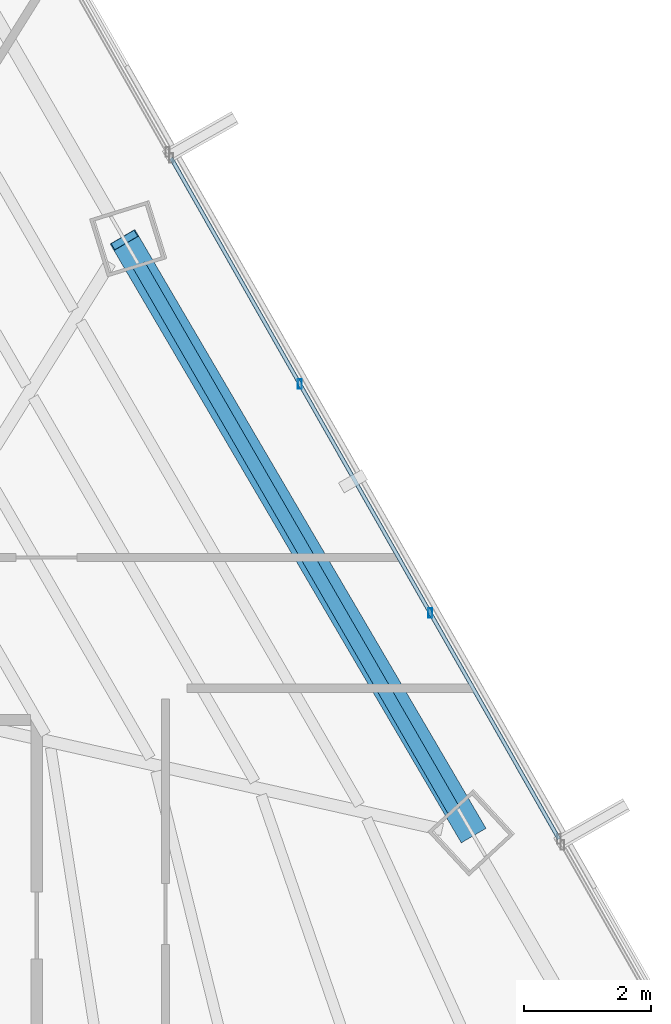
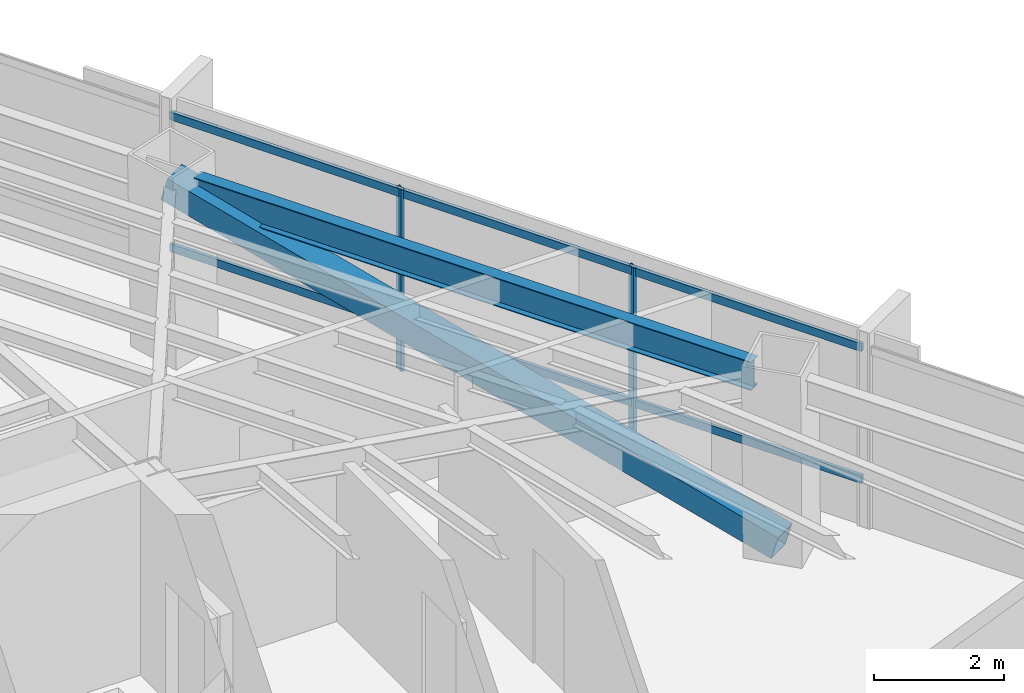
# One storey, part 25 of 39: 5 members, 1 beam, 1 element without a shape of its own.
"""IFC4 building model written with IfcOpenShell, lengths in metres."""

from ifc_helpers import new_model, si_unit, direction, frame, origin, origin_2d, place, context, subcontext, project, spatial, hollow_rectangle, i_section, extrude, source, transform, mapped, material, material_profile, profile_set, type_object, type_shapes, element, aggregate, save


model = new_model("IFC4")

# Units and contexts
model_context = context("Model", 3, precision=1e-05, world=origin(), true_north=direction((0.0, 1.0)))
body_context = subcontext(model_context, "Body", "Model", "MODEL_VIEW")
ifc_project = project(units=[si_unit("LENGTHUNIT", "METRE"), si_unit("AREAUNIT", "SQUARE_METRE"), si_unit("VOLUMEUNIT", "CUBIC_METRE"), si_unit("PLANEANGLEUNIT", "RADIAN"), si_unit("MASSUNIT", "GRAM", prefix="KILO")], contexts=[model_context])

# Site, building, storey
site_placement = place(None, origin())
site = spatial("IfcSite", under=ifc_project, at=site_placement, CompositionType="ELEMENT")
building_placement = place(site_placement, origin())
building = spatial("IfcBuilding", under=site, at=building_placement, Name="Caelisora Broadcast Tower", CompositionType="ELEMENT")
storey_placement = place(building_placement, frame((0.0, 0.0, 139.10009765625)))
storey = spatial("IfcBuildingStorey", under=building, at=storey_placement, Name="L36", CompositionType="ELEMENT", Elevation=139.10009765625)

# Beam
ifc_material_1 = material(Name="Steel Grade 350 (AS/NZS 3679.1)", Category="steel")
ifc_material_profile_1 = material_profile(ifc_material_1, i_section(OverallWidth=0.208984375, OverallDepth=0.532958984375, WebThickness=0.01025390625, FlangeThickness=0.015625, at=origin_2d()), Name="Steel Grade 350 (AS/NZS 3679.1)")
ifc_profile_set_1 = profile_set([ifc_material_profile_1], Name="Steel Grade 350 (AS/NZS 3679.1)")
beam_type = type_object("IfcBeamType", Name="PG05", PredefinedType="BEAM", material=ifc_profile_set_1)
shared_shape_1 = source(origin(), body_context, "Body", "SweptSolid", [
    extrude(i_section(OverallWidth=0.208984375, OverallDepth=0.532958984375, WebThickness=0.01025390625, FlangeThickness=0.015625, at=origin_2d()), origin(), (0.0, 0.0, 1.0), 9.86865234375),
])
type_shapes(beam_type, [shared_shape_1])
beam_placement = place(storey_placement, frame((55.11962890625, 28.186279296875, 3.13330078125), z_axis=(-0.499994417569, 0.866028626779, 0.0), x_axis=(-0.866028626779, -0.499994417569, 0.0)))
element("IfcBeam", 1, at=beam_placement, inside=storey, type_object=beam_type, Name="L36 beam PG05", PredefinedType="BEAM", context=body_context, shape_type="MappedRepresentation", body=[
    mapped(shared_shape_1, transform((0.0, 0.0, 0.0), scale=1.0)),
])

# Member
ifc_material_2 = material(Name="Steel Grade 450 (AS/NZS 1163 C450L0)", Category="steel")
ifc_material_profile_2 = material_profile(ifc_material_2, hollow_rectangle(XDim=0.449951171875, YDim=0.449951171875, WallThickness=0.01611328125, at=origin_2d()), Name="Steel Grade 450 (AS/NZS 1163 C450L0)")
ifc_profile_set_2 = profile_set([ifc_material_profile_2], Name="Steel Grade 450 (AS/NZS 1163 C450L0)")
member_type_1 = type_object("IfcMemberType", Name="BR03", PredefinedType="BRACE", material=ifc_profile_set_2)
shared_shape_2 = source(origin(), body_context, "Body", "SweptSolid", [
    extrude(hollow_rectangle(XDim=0.449951171875, YDim=0.449951171875, WallThickness=0.01611328125, at=origin_2d()), origin(), (0.0, 0.0, 1.0), 11.182861328125),
])
type_shapes(member_type_1, [shared_shape_2])
member_1_placement = place(storey_placement, frame((55.404052734375, 27.838134765625, 0.099853515625), z_axis=(-0.487263665589, 0.83102699183, 0.268269005007), x_axis=(-0.862648188633, -0.505804411456, 0.0)))
element("IfcMember", 2, at=member_1_placement, inside=storey, type_object=member_type_1, Name="L36 perimeter brace BR03", PredefinedType="BRACE", context=body_context, shape_type="MappedRepresentation", body=[
    mapped(shared_shape_2, transform((0.0, 0.0, 0.0), scale=1.0)),
])

# Curtain wall, members
ifc_material_3 = material(Name="Unitised Aluminium Insulated Shadow-Box Spandrel Curtain Wall", Category="aluminium")
curtain_wall_type = type_object("IfcCurtainWallType", Name="CW-SP2", PredefinedType="NOTDEFINED", material=ifc_material_3)
curtain_wall_placement = place(storey_placement, origin())
curtain_wall = element("IfcCurtainWall", 3, at=curtain_wall_placement, inside=storey, type_object=curtain_wall_type, Name="L36 curtain wall CW-SP2", PredefinedType="NOTDEFINED")
ifc_material_4 = material(Name="Aluminium 6063-T6 Anodised Terracotta Bronze", Category="aluminium")
ifc_material_profile_3 = material_profile(ifc_material_4, hollow_rectangle(XDim=0.06005859375, YDim=0.14990234375, WallThickness=0.00341796875, at=origin_2d()), Name="Aluminium 6063-T6 Anodised Terracotta Bronze")
ifc_profile_set_3 = profile_set([ifc_material_profile_3], Name="Aluminium 6063-T6 Anodised Terracotta Bronze")
member_type_2 = type_object("IfcMemberType", Name="CWM-03", PredefinedType="MULLION", material=ifc_profile_set_3)
shared_shape_3 = source(origin(), body_context, "Body", "SweptSolid", [
    extrude(hollow_rectangle(XDim=0.06005859375, YDim=0.14990234375, WallThickness=0.00341796875, at=origin_2d()), origin(), (0.0, 0.0, 1.0), 3.39990234375),
])
type_shapes(member_type_2, [shared_shape_3])
member_2_placement = place(storey_placement, frame((52.7080078125, 34.869384765625, 0.0), z_axis=(0.0, 0.0, 1.0), x_axis=(1.0, 0.0, 0.0)))
member_2 = element("IfcMember", 4, at=member_2_placement, type_object=member_type_2, Name="L36-CW-B02 mullion #1", PredefinedType="MULLION", context=body_context, shape_type="MappedRepresentation", body=[
    mapped(shared_shape_3, transform((0.0, 0.0, 0.0), scale=1.0)),
])
member_3_placement = place(storey_placement, frame((54.753173828125, 31.27880859375, 0.0), z_axis=(0.0, 0.0, 1.0), x_axis=(1.0, 0.0, 0.0)))
member_3 = element("IfcMember", 5, at=member_3_placement, type_object=member_type_2, Name="L36-CW-B02 mullion #2", PredefinedType="MULLION", context=body_context, shape_type="MappedRepresentation", body=[
    mapped(shared_shape_3, transform((0.0, 0.0, 0.0), scale=1.0)),
])
ifc_material_profile_4 = material_profile(ifc_material_4, hollow_rectangle(XDim=0.06005859375, YDim=0.14990234375, WallThickness=0.00341796875, at=origin_2d()), Name="Aluminium 6063-T6 Anodised Terracotta Bronze")
ifc_profile_set_4 = profile_set([ifc_material_profile_4], Name="Aluminium 6063-T6 Anodised Terracotta Bronze")
member_type_3 = type_object("IfcMemberType", Name="CWT-02", PredefinedType="USERDEFINED", material=ifc_profile_set_4)
shared_shape_4 = source(origin(), body_context, "Body", "SweptSolid", [
    extrude(hollow_rectangle(XDim=0.06005859375, YDim=0.14990234375, WallThickness=0.00341796875, at=origin_2d()), origin(), (0.0, 0.0, 1.0), 12.2958984375),
])
type_shapes(member_type_3, [shared_shape_4])
member_4_placement = place(storey_placement, frame((50.687744140625, 38.416259765625, 0.849853515625), z_axis=(0.494934615563, -0.868930219476, 0.0), x_axis=(0.868930219476, 0.494934615563, 0.0)))
member_4 = element("IfcMember", 6, at=member_4_placement, type_object=member_type_3, Name="L36-CW-B02 transom #1", ObjectType="TRANSOM", PredefinedType="USERDEFINED", context=body_context, shape_type="MappedRepresentation", body=[
    mapped(shared_shape_4, transform((0.0, 0.0, 0.0), scale=1.0)),
])
member_5_placement = place(storey_placement, frame((50.687744140625, 38.416259765625, 3.31982421875), z_axis=(0.494934615563, -0.868930219476, 0.0), x_axis=(0.868930219476, 0.494934615563, 0.0)))
member_5 = element("IfcMember", 7, at=member_5_placement, type_object=member_type_3, Name="L36-CW-B02 transom #2", ObjectType="TRANSOM", PredefinedType="USERDEFINED", context=body_context, shape_type="MappedRepresentation", body=[
    mapped(shared_shape_4, transform((0.0, 0.0, 0.0), scale=1.0)),
])
aggregate(curtain_wall, [member_2, member_3, member_4, member_5])

save(model, "model.ifc")
